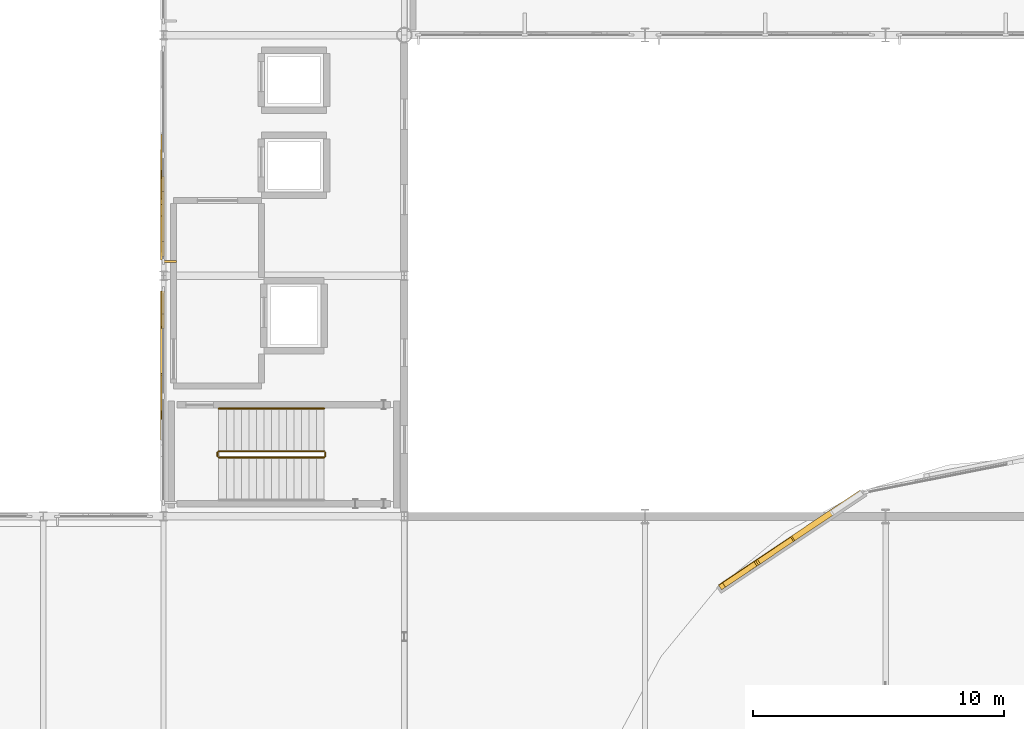
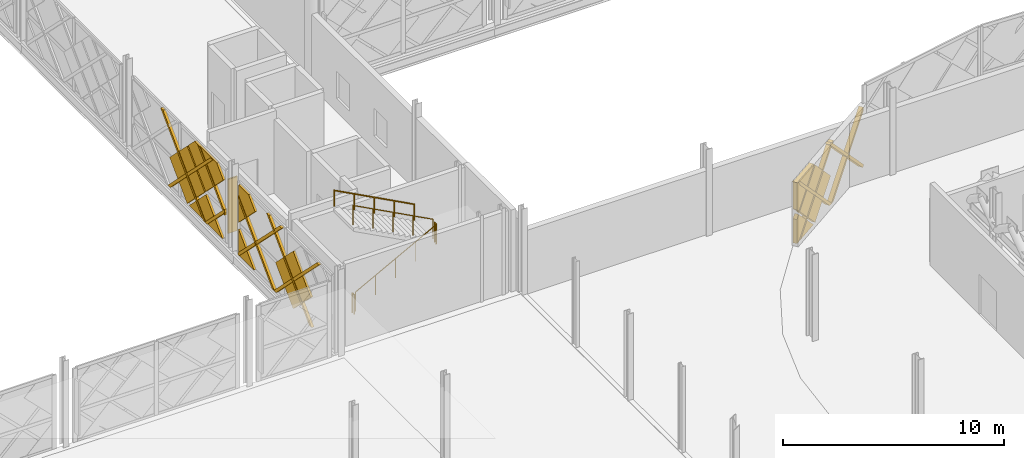
# One storey, part 61 of 77: 21 coverings, 5 railings, 1 shading device.
"""IFC4 building model written with IfcOpenShell, lengths in metres."""

from ifc_helpers import new_model, si_unit, direction, frame, origin, origin_2d, place, context, subcontext, project, spatial, polyline, rectangle, circle, outline, extrude, material, layer, layer_set, type_object, element, save


model = new_model("IFC4")

# Units and contexts
model_context = context("Model", 3, precision=1e-05, world=origin(), true_north=direction((0.0, 1.0)))
body_context = subcontext(model_context, "Body", "Model", "MODEL_VIEW")
ifc_project = project(units=[si_unit("LENGTHUNIT", "METRE"), si_unit("AREAUNIT", "SQUARE_METRE"), si_unit("VOLUMEUNIT", "CUBIC_METRE"), si_unit("PLANEANGLEUNIT", "RADIAN"), si_unit("MASSUNIT", "GRAM", prefix="KILO")], contexts=[model_context])

# Site, building, storey
site_placement = place(None, origin())
site = spatial("IfcSite", under=ifc_project, at=site_placement, CompositionType="ELEMENT")
building_placement = place(site_placement, origin())
building = spatial("IfcBuilding", under=site, at=building_placement, Name="Zevrakil Square Congress Hotel", CompositionType="ELEMENT")
storey_placement = place(building_placement, frame((0.0, 0.0, 9.89990234375)))
storey = spatial("IfcBuildingStorey", under=building, at=storey_placement, Name="L03", CompositionType="ELEMENT", Elevation=9.89990234375)

# Coverings
ifc_material_1 = material(Name="Architectural White Fibre-C GRC", Category="concrete")
ifc_layer_1 = layer(ifc_material_1, 0.06494140625)
ifc_layer_set_1 = layer_set([ifc_layer_1], Name="Architectural White Fibre-C GRC")
covering_type_1 = type_object("IfcCoveringType", Name="COV-DIA-WHITE", PredefinedType="CLADDING", material=ifc_layer_set_1)
covering_1_placement = place(storey_placement, frame((107.905029296875, 53.169921875, 0.080078125), z_axis=(-0.999999760125, 0.0, 0.000692640526), x_axis=(0.0, 1.0, 0.0)))
element("IfcCovering", 1, at=covering_1_placement, inside=storey, type_object=covering_type_1, Name="L03 45-degree white GRC diamond facade cassette 1758", PredefinedType="CLADDING", context=body_context, shape_type="SweptSolid", body=[
    extrude(outline(polyline([(0.0, 0.0), (1.41015625, 0.0), (1.41015625, -1.4099124475784226), (0.0, 0.0)])), origin(), (0.0, 0.0, -1.0), 0.1201171875),
])
covering_2_placement = place(storey_placement, frame((107.906982421875, 49.639892578125, 3.27001953125), z_axis=(-0.999999811377, 0.0, 0.000614203339), x_axis=(-0.000434307387, -0.707106714488, -0.707106714509)))
element("IfcCovering", 2, at=covering_2_placement, inside=storey, type_object=covering_type_1, Name="L03 45-degree white GRC diamond facade cassette 1760", PredefinedType="CLADDING", context=body_context, shape_type="SweptSolid", body=[
    extrude(outline(polyline([(0.0, 0.0), (2.2483788053845455, -2.220446049250313e-16), (2.2485518630206376, -2.24855143882716), (-0.00017220931434658304, -2.2485514388922905), (0.0, 0.0)])), origin(), (0.0, 0.0, -1.0), 0.1201171875),
])
covering_3_placement = place(storey_placement, frame((107.906982421875, 53.090087890625, 3.360107421875), z_axis=(-0.999999736408, 4.315951e-05, 0.00072479006), x_axis=(-0.00048198565, 0.70710670617, -0.707106691935)))
element("IfcCovering", 3, at=covering_3_placement, inside=storey, type_object=covering_type_1, Name="L03 45-degree white GRC diamond facade cassette 1761", PredefinedType="CLADDING", context=body_context, shape_type="SweptSolid", body=[
    extrude(outline(polyline([(0.0, 0.0), (2.107164623187832, 0.0), (0.6399520580835327, -1.4672122541428614), (-2.2701733171093252e-07, -0.8272598344501885), (0.0, 0.0)])), origin(), (0.0, 0.0, -1.0), 0.1201171875),
])
covering_4_placement = place(storey_placement, frame((107.906005859375, 57.56005859375, 1.590087890625), z_axis=(-0.999999790873, 0.0, 0.000646725815), x_axis=(-0.000457304257, -0.707106707249, -0.707106707249)))
element("IfcCovering", 4, at=covering_4_placement, inside=storey, type_object=covering_type_1, Name="L03 45-degree white GRC diamond facade cassette 1827", PredefinedType="CLADDING", context=body_context, shape_type="SweptSolid", body=[
    extrude(outline(polyline([(0.0, 0.0), (2.1354765131557993, 0.0), (4.465861884739297e-07, -2.1354765131557527), (0.0, 0.0)])), origin(), (0.0, 0.0, -1.0), 0.1201171875),
])
covering_5_placement = place(storey_placement, frame((107.906982421875, 59.239990234375, 3.27001953125), z_axis=(-0.999999811377, 0.0, 0.000614203339), x_axis=(-0.000434274042, -0.707161000837, -0.707052424012)))
element("IfcCovering", 5, at=covering_5_placement, inside=storey, type_object=covering_type_1, Name="L03 45-degree white GRC diamond facade cassette 1828", PredefinedType="CLADDING", context=body_context, shape_type="SweptSolid", body=[
    extrude(outline(polyline([(0.0, 0.0), (2.2485514454867683, 0.0), (2.2483792228863573, -2.248724065739994), (-0.0003448428211170196, -2.248551419043839), (0.0, 0.0)])), origin(), (0.0, 0.0, -1.0), 0.1201171875),
])
covering_6_placement = place(storey_placement, frame((107.906982421875, 55.969970703125, 3.360107421875), z_axis=(-0.999999757162, 0.0, 0.000696904836), x_axis=(-0.000492786181, 0.707106715719, -0.707106674942)))
element("IfcCovering", 6, at=covering_6_placement, inside=storey, type_object=covering_type_1, Name="L03 45-degree white GRC diamond facade cassette 1830", PredefinedType="CLADDING", context=body_context, shape_type="SweptSolid", body=[
    extrude(outline(polyline([(0.0, 0.0), (2.248724068485539, 2.220446049250313e-16), (2.248551018613166, -2.2485514349780167), (1.4212911871690754, -2.2485514985591526), (-2.1676506650747385e-07, -0.8272598314440651), (0.0, 0.0)])), origin(), (0.0, 0.0, -1.0), 0.1201171875),
])
covering_7_placement = place(storey_placement, frame((130.29248046875, 42.950439453125, 1.590087890625), z_axis=(-0.555608811184, 0.8314436877, 0.00049306992), x_axis=(-0.587703264435, -0.392310652926, -0.70759962166)))
element("IfcCovering", 7, at=covering_7_placement, inside=storey, type_object=covering_type_1, Name="L03 45-degree white GRC diamond facade cassette 2182", PredefinedType="CLADDING", context=body_context, shape_type="SweptSolid", body=[
    extrude(outline(polyline([(0.0, 0.0), (0.2625651539894699, -2.7755575615628914e-17), (1.1996772470330228, -0.9356156792015893), (0.001456260276823329, -2.1355089659188913), (0.0, 0.0)])), origin(), (0.0, 0.0, -1.0), 0.2099609375),
])
covering_8_placement = place(storey_placement, frame((131.68994140625, 43.8828125, 3.27001953125), z_axis=(-0.555603317877, 0.831447275475, 0.000617469804), x_axis=(-0.588185274455, -0.392521688291, -0.707081895635)))
element("IfcCovering", 8, at=covering_8_placement, inside=storey, type_object=covering_type_1, Name="L03 45-degree white GRC diamond facade cassette 2183", PredefinedType="CLADDING", context=body_context, shape_type="SweptSolid", body=[
    extrude(outline(polyline([(0.0, 0.0), (2.248457724431889, 0.0), (2.2483756786929057, -2.2487276226373285), (-0.0002546731549100123, -2.248554983136285), (0.0, 0.0)])), origin(), (0.0, 0.0, -1.0), 0.2099609375),
])
covering_9_placement = place(storey_placement, frame((130.29248046875, 42.9501953125, 1.77001953125), z_axis=(-0.55568174601, 0.831394806671, 0.000687453111), x_axis=(0.588193157952, 0.392547712802, 0.707060889961)))
element("IfcCovering", 9, at=covering_9_placement, inside=storey, type_object=covering_type_1, Name="L03 45-degree white GRC diamond facade cassette 2185", PredefinedType="CLADDING", context=body_context, shape_type="SweptSolid", body=[
    extrude(outline(polyline([(0.0, 0.0), (2.2488697840799907, 0.0), (2.2486962609696777, -0.13447372977760952), (1.0602869727791389, -1.3227293196164127), (7.020969703169788e-05, -0.2626610393804095), (0.0, 0.0)])), origin(), (0.0, 0.0, -1.0), 0.2099609375),
])
ifc_material_2 = material(Name="Anodised Champagne Aluminium", Category="aluminium")
ifc_layer_2 = layer(ifc_material_2, 0.0849609375)
ifc_layer_set_2 = layer_set([ifc_layer_2], Name="Anodised Champagne Aluminium")
covering_type_2 = type_object("IfcCoveringType", Name="COV-DIAGRID-45", PredefinedType="MOLDING", material=ifc_layer_set_2)
covering_10_placement = place(storey_placement, frame((107.8798828125, 54.493896484375, 0.080078125), z_axis=(-0.999999413531, 0.000391037742, 0.001009963815), x_axis=(0.000391037543, 0.999999923545, -3.94934e-07)))
element("IfcCovering", 10, at=covering_10_placement, inside=storey, type_object=covering_type_2, Name="L03 45-degree aluminium diagrid rib 1763", PredefinedType="MOLDING", context=body_context, shape_type="SweptSolid", body=[
    extrude(outline(polyline([(0.0, 0.0), (0.08618163403596019, 4.562418066112793e-24), (0.08618167965526309, -0.12622088532393289), (-3.6528323237063276, -3.8649907289093357), (-3.8649905106107165, -3.8649907289093357), (0.0, 0.0)])), origin(), (0.0, 0.0, -1.0), 0.14501953125),
])
covering_11_placement = place(storey_placement, frame((107.8798828125, 51.1337890625, 0.080078125), z_axis=(-0.999999800495, 0.0, 0.00063167191), x_axis=(0.0, 1.0, 0.0)))
element("IfcCovering", 11, at=covering_11_placement, inside=storey, type_object=covering_type_2, Name="L03 45-degree aluminium diagrid rib 1764", PredefinedType="MOLDING", context=body_context, shape_type="SweptSolid", body=[
    extrude(outline(polyline([(0.0, 0.0), (0.21240234375, 0.0), (-3.652587890625, -3.864991005458952), (-3.864990234375, -3.864991005458952), (0.0, 0.0)])), origin(), (0.0, 0.0, -1.0), 0.14501953125),
])
covering_12_placement = place(storey_placement, frame((107.8818359375, 54.580078125, 3.154052734375), z_axis=(-0.999999562484, -0.000249090824, 0.000901656659), x_axis=(0.000901656702, -6.2046e-08, 0.999999593508)))
element("IfcCovering", 12, at=covering_12_placement, inside=storey, type_object=covering_type_2, Name="L03 45-degree aluminium diagrid rib 1766", PredefinedType="MOLDING", context=body_context, shape_type="SweptSolid", body=[
    extrude(outline(polyline([(0.0, 0.0), (0.21215833701531478, 1.3234889800848443e-23), (-3.073974916983605, -3.2861331051745672), (-3.073974930147215, -3.073974908631377), (0.0, 0.0)])), origin(), (0.0, 0.0, -1.0), 0.14501953125),
])
covering_13_placement = place(storey_placement, frame((107.88232421875, 52.010986328125, 3.945068359375), z_axis=(-0.999999800495, 0.0, 0.00063167191), x_axis=(0.0, -1.0, 0.0)))
element("IfcCovering", 13, at=covering_13_placement, inside=storey, type_object=covering_type_2, Name="L03 45-degree aluminium diagrid rib 1767", PredefinedType="MOLDING", context=body_context, shape_type="SweptSolid", body=[
    extrude(outline(polyline([(0.0, 0.0), (0.212158203125, 0.0), (4.0771484375, -3.8649910054589514), (3.864990234375, -3.8649910054589514), (0.0, 0.0)])), origin(), (0.0, 0.0, -1.0), 0.14501953125),
])
covering_14_placement = place(storey_placement, frame((107.8798828125, 60.73388671875, 0.080078125), z_axis=(-0.999999800495, 0.0, 0.00063167191), x_axis=(0.0, 1.0, 0.0)))
element("IfcCovering", 14, at=covering_14_placement, inside=storey, type_object=covering_type_2, Name="L03 45-degree aluminium diagrid rib 1832", PredefinedType="MOLDING", context=body_context, shape_type="SweptSolid", body=[
    extrude(outline(polyline([(0.0, 0.0), (0.212158203125, 0.0), (-3.65283203125, -3.8649910054589514), (-3.864990234375, -3.8649910054589514), (0.0, 0.0)])), origin(), (0.0, 0.0, -1.0), 0.14501953125),
])
covering_15_placement = place(storey_placement, frame((107.8798828125, 57.373779296875, 0.080078125), z_axis=(-0.999999864806, -0.000367476119, 0.000367898991), x_axis=(-0.000367476094, 0.999999932481, 1.35194e-07)))
element("IfcCovering", 15, at=covering_15_placement, inside=storey, type_object=covering_type_2, Name="L03 45-degree aluminium diagrid rib 1833", PredefinedType="MOLDING", context=body_context, shape_type="SweptSolid", body=[
    extrude(outline(polyline([(0.0, 0.0), (0.21240232940873155, 0.0), (-1.5537110424055618, -1.7661136108240356), (-1.5537110710880997, -1.553955422056809), (0.0, 0.0)])), origin(), (0.0, 0.0, -1.0), 0.14501953125),
])
covering_16_placement = place(storey_placement, frame((107.88232421875, 61.611083984375, 3.945068359375), z_axis=(-0.999999800495, 0.0, 0.00063167191), x_axis=(0.0, -1.0, 0.0)))
element("IfcCovering", 16, at=covering_16_placement, inside=storey, type_object=covering_type_2, Name="L03 45-degree aluminium diagrid rib 1835", PredefinedType="MOLDING", context=body_context, shape_type="SweptSolid", body=[
    extrude(outline(polyline([(0.0, 0.0), (0.212158203125, 0.0), (4.0771484375, -3.8649910054589514), (3.864990234375, -3.8649910054589514), (0.0, 0.0)])), origin(), (0.0, 0.0, -1.0), 0.14501953125),
])
covering_17_placement = place(storey_placement, frame((107.88232421875, 58.251220703125, 3.945068359375), z_axis=(-0.999999586315, -0.00028593798, 0.000863486832), x_axis=(0.000285937873, -0.99999995912, -2.46904e-07)))
element("IfcCovering", 17, at=covering_17_placement, inside=storey, type_object=covering_type_2, Name="L03 45-degree aluminium diagrid rib 1836", PredefinedType="MOLDING", context=body_context, shape_type="SweptSolid", body=[
    extrude(outline(polyline([(0.0, 0.0), (0.21240233506693593, 1.124448645189272e-23), (2.431152443136156, -2.218750226900346), (2.4311524257700277, -2.4311527022779447), (0.0, 0.0)])), origin(), (0.0, 0.0, -1.0), 0.14501953125),
])
covering_18_placement = place(storey_placement, frame((135.7109375, 46.60205078125, 0.080078125), z_axis=(-0.555384953723, 0.831592945411, 0.000852244581), x_axis=(0.83159324711, 0.55538515587, -6.39284e-07)))
element("IfcCovering", 18, at=covering_18_placement, inside=storey, type_object=covering_type_2, Name="L03 45-degree aluminium diagrid rib 2186", PredefinedType="MOLDING", context=body_context, shape_type="SweptSolid", body=[
    extrude(outline(polyline([(0.0, 0.0), (0.08606257616057891, -6.776263578034403e-21), (0.0860624954696939, -0.1262206572866032), (-3.1629207463718347, -3.3749992069799815), (-3.375063706037319, -3.374998922483402), (0.0, 0.0)])), origin(), (0.0, 0.0, -1.0), 0.235107421875),
])
covering_19_placement = place(storey_placement, frame((132.917236328125, 44.7353515625, 0.080078125), z_axis=(-0.55514817757, 0.831750715422, 0.001117289822), x_axis=(0.831751234505, 0.55514852418, -1.11793e-07)))
element("IfcCovering", 19, at=covering_19_placement, inside=storey, type_object=covering_type_2, Name="L03 45-degree aluminium diagrid rib 2187", PredefinedType="MOLDING", context=body_context, shape_type="SweptSolid", body=[
    extrude(outline(polyline([(0.0, 0.0), (0.21193993651548856, -1.3552527156068805e-20), (-3.1629180185705272, -3.375001763358882), (-3.359554912473573, -3.375001698629663), (-3.359554910754095, -3.3596208488549104), (0.0, 0.0)])), origin(), (0.0, 0.0, -1.0), 0.235107421875),
])
covering_20_placement = place(storey_placement, frame((135.783447265625, 46.648193359375, 3.154052734375), z_axis=(-0.555160797704, 0.831743038102, 8.5211074e-05), x_axis=(4.7305848e-05, -7.0873718e-05, 0.99999999637)))
element("IfcCovering", 20, at=covering_20_placement, inside=storey, type_object=covering_type_2, Name="L03 45-degree aluminium diagrid rib 2188", PredefinedType="MOLDING", context=body_context, shape_type="SweptSolid", body=[
    extrude(outline(polyline([(0.0, 0.0), (0.2121582023547674, 0.0), (-3.073974620534953, -3.2858812695470503), (-3.0739746220754185, -3.073941332741666), (0.0, 0.0)])), origin(), (0.0, 0.0, -1.0), 0.235107421875),
])
covering_21_placement = place(storey_placement, frame((133.240234375, 44.94873046875, 3.455078125), z_axis=(-0.555364036264, 0.831607287462, 0.000326595098), x_axis=(-0.831607331804, -0.555364065897, 5.1881e-08)))
element("IfcCovering", 21, at=covering_21_placement, inside=storey, type_object=covering_type_2, Name="L03 45-degree aluminium diagrid rib 2189", PredefinedType="MOLDING", context=body_context, shape_type="SweptSolid", body=[
    extrude(outline(polyline([(0.0, 0.0), (0.2122785509576714, 6.776263578034403e-21), (3.5870658706631007, -3.3750003660953873), (3.3751259357693213, -3.3750003440866623), (0.0, 0.0)])), origin(), (0.0, 0.0, -1.0), 0.235107421875),
])

# Railings
ifc_material_3 = material(Name="Steel S355", Category="steel")
railing_type_1 = type_object("IfcRailingType", Name="RLG-STAIR-GUARD-1100", PredefinedType="BALUSTRADE", material=ifc_material_3)
railing_1_placement = place(storey_placement, frame((110.199951171875, 47.949951171875, 0.16015625)))
element("IfcRailing", 22, at=railing_1_placement, inside=storey, type_object=railing_type_1, Name="L03 ST07 stair guard 1", PredefinedType="BALUSTRADE", context=body_context, shape_type="SweptSolid", body=[
    extrude(circle(Radius=0.02392578125, at=origin_2d()), frame((0.0, 0.0, 1.076171875), z_axis=(0.882351521365, 0.0, 0.470590897432), x_axis=(0.0, 1.0, 0.0)), (0.0, 0.0, 1.0), 4.760009765625),
    extrude(circle(Radius=0.02099609375, at=origin_2d()), origin(), (0.0, 0.0, 1.0), 1.052001953125),
    extrude(circle(Radius=0.02099609375, at=origin_2d()), frame((1.050048828125, 0.0, 0.56005859375)), (0.0, 0.0, 1.0), 1.052001953125),
    extrude(circle(Radius=0.02099609375, at=origin_2d()), frame((2.10009765625, 0.0, 1.1201171875)), (0.0, 0.0, 1.0), 1.052001953125),
    extrude(circle(Radius=0.02099609375, at=origin_2d()), frame((3.14990234375, 0.0, 1.679931640625)), (0.0, 0.0, 1.0), 1.052001953125),
    extrude(circle(Radius=0.02099609375, at=origin_2d()), frame((4.199951171875, 0.0, 2.239990234375)), (0.0, 0.0, 1.0), 1.052001953125),
])
railing_2_placement = place(storey_placement, frame((114.449951171875, 48.0, 2.400146484375)))
element("IfcRailing", 23, at=railing_2_placement, inside=storey, type_object=railing_type_1, Name="L03 ST07 stair guard 2", PredefinedType="BALUSTRADE", context=body_context, shape_type="SweptSolid", body=[
    extrude(circle(Radius=0.02392578125, at=origin_2d()), frame((0.0, 0.0, 1.076171875), z_axis=(0.0, 1.0, 0.0), x_axis=(-1.0, 0.0, 0.0)), (0.0, 0.0, 1.0), 0.14990234375),
    extrude(circle(Radius=0.02099609375, at=origin_2d()), origin(), (0.0, 0.0, 1.0), 1.052001953125),
    extrude(circle(Radius=0.02099609375, at=origin_2d()), frame((0.0, 0.14990234375, 0.0)), (0.0, 0.0, 1.0), 1.052001953125),
])
railing_3_placement = place(storey_placement, frame((114.39990234375, 48.199951171875, 2.56005859375)))
element("IfcRailing", 24, at=railing_3_placement, inside=storey, type_object=railing_type_1, Name="L03 ST07 stair guard 3", PredefinedType="BALUSTRADE", context=body_context, shape_type="SweptSolid", body=[
    extrude(circle(Radius=0.02392578125, at=origin_2d()), frame((0.0, 0.0, 1.076171875), z_axis=(-0.882351521365, 0.0, 0.470590897432), x_axis=(0.0, -1.0, 0.0)), (0.0, 0.0, 1.0), 4.760009765625),
    extrude(circle(Radius=0.02099609375, at=origin_2d()), origin(), (0.0, 0.0, 1.0), 1.052001953125),
    extrude(circle(Radius=0.02099609375, at=origin_2d()), frame((-1.050048828125, 0.0, 0.56005859375)), (0.0, 0.0, 1.0), 1.052001953125),
    extrude(circle(Radius=0.02099609375, at=origin_2d()), frame((-2.10009765625, 0.0, 1.1201171875)), (0.0, 0.0, 1.0), 1.052001953125),
    extrude(circle(Radius=0.02099609375, at=origin_2d()), frame((-3.14990234375, 0.0, 1.679931640625)), (0.0, 0.0, 1.0), 1.052001953125),
    extrude(circle(Radius=0.02099609375, at=origin_2d()), frame((-4.199951171875, 0.0, 2.239990234375)), (0.0, 0.0, 1.0), 1.052001953125),
])
railing_4_placement = place(storey_placement, frame((110.14990234375, 48.0, 0.0)))
element("IfcRailing", 25, at=railing_4_placement, inside=storey, type_object=railing_type_1, Name="L03 ST07 stair guard 4", PredefinedType="BALUSTRADE", context=body_context, shape_type="SweptSolid", body=[
    extrude(circle(Radius=0.02392578125, at=origin_2d()), frame((0.0, 0.0, 1.076171875), z_axis=(0.0, 1.0, 0.0), x_axis=(-1.0, 0.0, 0.0)), (0.0, 0.0, 1.0), 0.14990234375),
    extrude(circle(Radius=0.02099609375, at=origin_2d()), origin(), (0.0, 0.0, 1.0), 1.052001953125),
    extrude(circle(Radius=0.02099609375, at=origin_2d()), frame((0.0, 0.14990234375, 0.0)), (0.0, 0.0, 1.0), 1.052001953125),
])
ifc_material_4 = material(Name="Steel S355", Category="steel")
railing_type_2 = type_object("IfcRailingType", Name="RLG-STAIR-HAND-900", PredefinedType="HANDRAIL", material=ifc_material_4)
railing_5_placement = place(storey_placement, frame((114.39990234375, 49.89990234375, 2.56005859375)))
element("IfcRailing", 26, at=railing_5_placement, inside=storey, type_object=railing_type_2, Name="L03 ST07 stair handrail 2", PredefinedType="HANDRAIL", context=body_context, shape_type="SweptSolid", body=[
    extrude(circle(Radius=0.02392578125, at=origin_2d()), frame((0.0, 0.0, 0.8759765625), z_axis=(-0.882351521365, 0.0, 0.470590897432), x_axis=(0.0, -1.0, 0.0)), (0.0, 0.0, 1.0), 4.760009765625),
    extrude(circle(Radius=0.02099609375, at=origin_2d()), origin(), (0.0, 0.0, 1.0), 0.851806640625),
    extrude(circle(Radius=0.02099609375, at=origin_2d()), frame((-1.050048828125, 0.0, 0.56005859375)), (0.0, 0.0, 1.0), 0.851806640625),
    extrude(circle(Radius=0.02099609375, at=origin_2d()), frame((-2.10009765625, 0.0, 1.1201171875)), (0.0, 0.0, 1.0), 0.851806640625),
    extrude(circle(Radius=0.02099609375, at=origin_2d()), frame((-3.14990234375, 0.0, 1.679931640625)), (0.0, 0.0, 1.0), 0.851806640625),
    extrude(circle(Radius=0.02099609375, at=origin_2d()), frame((-4.199951171875, 0.0, 2.239990234375)), (0.0, 0.0, 1.0), 0.851806640625),
])

# Shading device
ifc_material_5 = material(Name="Aluminium Anodised Bronze", Category="aluminium")
shading_device_type = type_object("IfcShadingDeviceType", Name="SHD-FIN-50", PredefinedType="JALOUSIE", material=ifc_material_5)
shading_device_placement = place(storey_placement, frame((108.27001953125, 55.760009765625, 0.5126953125), z_axis=(0.0, 0.0, 1.0), x_axis=(1.0, 0.0, 0.0)))
element("IfcShadingDevice", 27, at=shading_device_placement, inside=storey, type_object=shading_device_type, Name="L03 aluminium solar shading fin 99", PredefinedType="JALOUSIE", context=body_context, shape_type="SweptSolid", body=[
    extrude(rectangle(XDim=0.5, YDim=0.080078125, at=origin_2d()), origin(), (0.0, 0.0, 1.0), 3.0),
])

save(model, "model.ifc")
